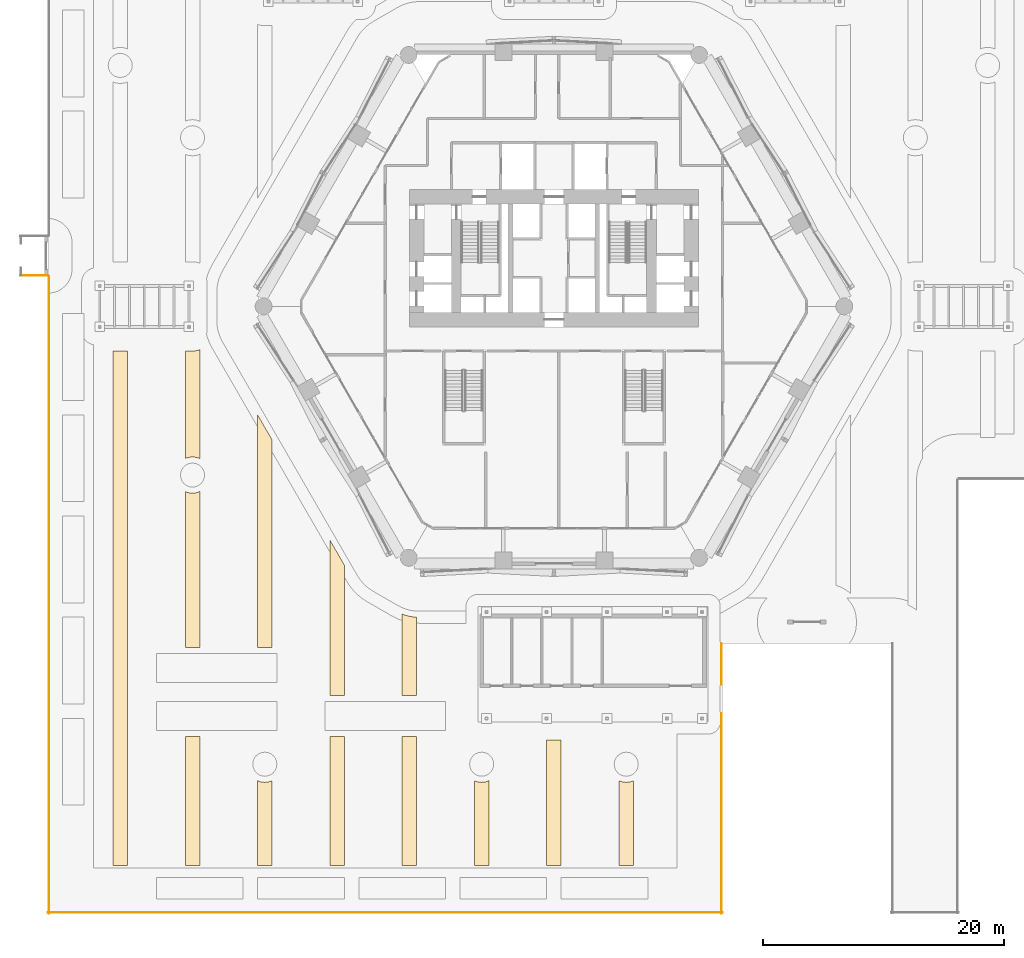
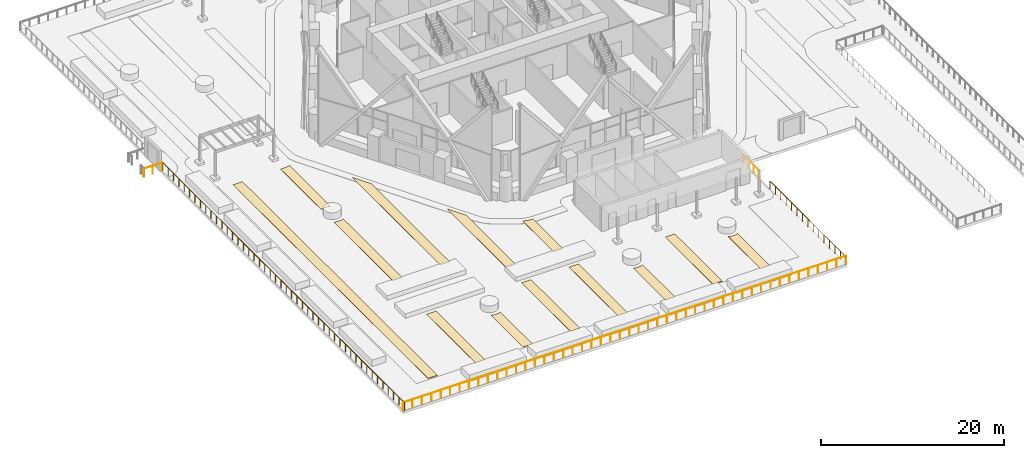
# One storey, part 62 of 71: 13 coverings, 5 railings.
"""IFC4 building model written with IfcOpenShell, lengths in metres."""

from ifc_helpers import new_model, si_unit, direction, frame, origin, origin_2d, place, context, subcontext, project, spatial, polyline, circle, outline, extrude, material, layer, layer_set, type_object, element, save


model = new_model("IFC4")

# Units and contexts
model_context = context("Model", 3, precision=1e-05, world=origin(), true_north=direction((0.0, 1.0)))
body_context = subcontext(model_context, "Body", "Model", "MODEL_VIEW")
ifc_project = project(units=[si_unit("LENGTHUNIT", "METRE"), si_unit("AREAUNIT", "SQUARE_METRE"), si_unit("VOLUMEUNIT", "CUBIC_METRE"), si_unit("PLANEANGLEUNIT", "RADIAN"), si_unit("MASSUNIT", "GRAM", prefix="KILO")], contexts=[model_context])

# Site, building, storey
site_placement = place(None, origin())
site = spatial("IfcSite", under=ifc_project, at=site_placement, CompositionType="ELEMENT")
building_placement = place(site_placement, origin())
building = spatial("IfcBuilding", under=site, at=building_placement, Name="Ostrander Bayou Hotel Tower", CompositionType="ELEMENT")
storey_placement = place(building_placement, frame((0.0, 0.0, 10.0)))
storey = spatial("IfcBuildingStorey", under=building, at=storey_placement, Name="L02", CompositionType="ELEMENT", Elevation=10.0)

# Coverings
ifc_material_1 = material(Name="Granite paving on bedding", Category="masonry")
ifc_layer = layer(ifc_material_1, 0.030029296875)
ifc_layer_set = layer_set([ifc_layer], Name="CV6 paving band 30 mm")
covering_type = type_object("IfcCoveringType", Name="CV6 paving band 30 mm", PredefinedType="FLOORING", material=ifc_layer_set)
covering_1_placement = place(storey_placement, origin())
element("IfcCovering", 1, at=covering_1_placement, inside=storey, type_object=covering_type, Name="PAVING STRIPE 1", PredefinedType="FLOORING", context=body_context, shape_type="SweptSolid", body=[
    extrude(outline(polyline([(-36.60009765625, -3.699951171875), (-35.39990234375, -3.699951171875), (-35.39990234375, -46.39990234375), (-36.60009765625, -46.39990234375), (-36.60009765625, -3.699951171875)])), origin(), (0.0, 0.0, 1.0), 0.030029296875),
])
covering_2_placement = place(storey_placement, origin())
element("IfcCovering", 2, at=covering_2_placement, inside=storey, type_object=covering_type, Name="PAVING STRIPE 4", PredefinedType="FLOORING", context=body_context, shape_type="SweptSolid", body=[
    extrude(outline(polyline([(-30.60009765625, -35.699951171875), (-29.39990234375, -35.699951171875), (-29.39990234375, -46.39990234375), (-30.60009765625, -46.39990234375), (-30.60009765625, -35.699951171875)])), origin(), (0.0, 0.0, 1.0), 0.030029296875),
])
covering_3_placement = place(storey_placement, origin())
element("IfcCovering", 3, at=covering_3_placement, inside=storey, type_object=covering_type, Name="PAVING STRIPE 5", PredefinedType="FLOORING", context=body_context, shape_type="SweptSolid", body=[
    extrude(outline(polyline([(-30.60009765625, -15.36572265625), (-30.4501953125, -15.427978515625), (-30.4091796875, -15.44287109375), (-30.366943359375, -15.4541015625), (-30.32421875, -15.461669921875), (-30.065185546875, -15.49560546875), (-30.021728515625, -15.49951171875), (-29.978271484375, -15.49951171875), (-29.934814453125, -15.49560546875), (-29.67578125, -15.461669921875), (-29.633056640625, -15.4541015625), (-29.5908203125, -15.44287109375), (-29.5498046875, -15.427978515625), (-29.39990234375, -15.36572265625), (-29.39990234375, -28.300048828125), (-30.60009765625, -28.300048828125), (-30.60009765625, -15.36572265625)])), origin(), (0.0, 0.0, 1.0), 0.030029296875),
])
covering_4_placement = place(storey_placement, origin())
element("IfcCovering", 4, at=covering_4_placement, inside=storey, type_object=covering_type, Name="PAVING STRIPE 6", PredefinedType="FLOORING", context=body_context, shape_type="SweptSolid", body=[
    extrude(outline(polyline([(-30.60009765625, -3.699951171875), (-30.0, -3.699951171875), (-29.9755859375, -3.699462890625), (-29.85791015625, -3.693603515625), (-29.80908203125, -3.688720703125), (-29.6923828125, -3.67138671875), (-29.644287109375, -3.662109375), (-29.5302734375, -3.63330078125), (-29.483154296875, -3.619140625), (-29.39990234375, -3.58935546875), (-29.39990234375, -12.63427734375), (-29.5498046875, -12.572021484375), (-29.5908203125, -12.55712890625), (-29.633056640625, -12.5458984375), (-29.67578125, -12.538330078125), (-29.934814453125, -12.50439453125), (-29.978271484375, -12.50048828125), (-30.021728515625, -12.50048828125), (-30.065185546875, -12.50439453125), (-30.32421875, -12.538330078125), (-30.366943359375, -12.5458984375), (-30.4091796875, -12.55712890625), (-30.4501953125, -12.572021484375), (-30.60009765625, -12.63427734375), (-30.60009765625, -3.699951171875)])), origin(), (0.0, 0.0, 1.0), 0.030029296875),
])
covering_5_placement = place(storey_placement, origin())
element("IfcCovering", 5, at=covering_5_placement, inside=storey, type_object=covering_type, Name="PAVING STRIPE 9", PredefinedType="FLOORING", context=body_context, shape_type="SweptSolid", body=[
    extrude(outline(polyline([(-24.60009765625, -46.39990234375), (-24.60009765625, -39.36572265625), (-24.4501953125, -39.427978515625), (-24.4091796875, -39.44287109375), (-24.366943359375, -39.4541015625), (-24.32421875, -39.461669921875), (-24.065185546875, -39.49560546875), (-24.021728515625, -39.49951171875), (-23.978271484375, -39.49951171875), (-23.934814453125, -39.49560546875), (-23.67578125, -39.461669921875), (-23.633056640625, -39.4541015625), (-23.5908203125, -39.44287109375), (-23.5498046875, -39.427978515625), (-23.39990234375, -39.36572265625), (-23.39990234375, -46.39990234375), (-24.60009765625, -46.39990234375)])), origin(), (0.0, 0.0, 1.0), 0.030029296875),
])
covering_6_placement = place(storey_placement, origin())
element("IfcCovering", 6, at=covering_6_placement, inside=storey, type_object=covering_type, Name="PAVING STRIPE 10", PredefinedType="FLOORING", context=body_context, shape_type="SweptSolid", body=[
    extrude(outline(polyline([(-24.60009765625, -8.99169921875), (-23.39990234375, -11.070068359375), (-23.39990234375, -28.300048828125), (-24.60009765625, -28.300048828125), (-24.60009765625, -8.99169921875)])), origin(), (0.0, 0.0, 1.0), 0.030029296875),
])
covering_7_placement = place(storey_placement, origin())
element("IfcCovering", 7, at=covering_7_placement, inside=storey, type_object=covering_type, Name="PAVING STRIPE 12", PredefinedType="FLOORING", context=body_context, shape_type="SweptSolid", body=[
    extrude(outline(polyline([(-18.60009765625, -46.39990234375), (-18.60009765625, -35.699951171875), (-17.39990234375, -35.699951171875), (-17.39990234375, -46.39990234375), (-18.60009765625, -46.39990234375)])), origin(), (0.0, 0.0, 1.0), 0.030029296875),
])
covering_8_placement = place(storey_placement, origin())
element("IfcCovering", 8, at=covering_8_placement, inside=storey, type_object=covering_type, Name="PAVING STRIPE 13", PredefinedType="FLOORING", context=body_context, shape_type="SweptSolid", body=[
    extrude(outline(polyline([(-18.60009765625, -19.3837890625), (-17.39990234375, -21.46240234375), (-17.39990234375, -32.300048828125), (-18.60009765625, -32.300048828125), (-18.60009765625, -19.3837890625)])), origin(), (0.0, 0.0, 1.0), 0.030029296875),
])
covering_9_placement = place(storey_placement, origin())
element("IfcCovering", 9, at=covering_9_placement, inside=storey, type_object=covering_type, Name="PAVING STRIPE 14", PredefinedType="FLOORING", context=body_context, shape_type="SweptSolid", body=[
    extrude(outline(polyline([(-12.60009765625, -46.39990234375), (-12.60009765625, -35.699951171875), (-11.39990234375, -35.699951171875), (-11.39990234375, -46.39990234375), (-12.60009765625, -46.39990234375)])), origin(), (0.0, 0.0, 1.0), 0.030029296875),
])
covering_10_placement = place(storey_placement, origin())
element("IfcCovering", 10, at=covering_10_placement, inside=storey, type_object=covering_type, Name="PAVING STRIPE 15", PredefinedType="FLOORING", context=body_context, shape_type="SweptSolid", body=[
    extrude(outline(polyline([(-12.60009765625, -25.542236328125), (-12.461181640625, -25.595458984375), (-12.41162109375, -25.61181640625), (-12.0576171875, -25.70654296875), (-12.006591796875, -25.71728515625), (-11.644775390625, -25.774658203125), (-11.592529296875, -25.780029296875), (-11.39990234375, -25.790283203125), (-11.39990234375, -32.300048828125), (-12.60009765625, -32.300048828125), (-12.60009765625, -25.542236328125)])), origin(), (0.0, 0.0, 1.0), 0.030029296875),
])
covering_11_placement = place(storey_placement, origin())
element("IfcCovering", 11, at=covering_11_placement, inside=storey, type_object=covering_type, Name="PAVING STRIPE 16", PredefinedType="FLOORING", context=body_context, shape_type="SweptSolid", body=[
    extrude(outline(polyline([(-6.60009765625, -46.39990234375), (-6.60009765625, -39.36572265625), (-6.4501953125, -39.427978515625), (-6.4091796875, -39.44287109375), (-6.366943359375, -39.4541015625), (-6.32421875, -39.461669921875), (-6.065185546875, -39.49560546875), (-6.021728515625, -39.49951171875), (-5.978271484375, -39.49951171875), (-5.934814453125, -39.49560546875), (-5.67578125, -39.461669921875), (-5.633056640625, -39.4541015625), (-5.5908203125, -39.44287109375), (-5.5498046875, -39.427978515625), (-5.39990234375, -39.36572265625), (-5.39990234375, -46.39990234375), (-6.60009765625, -46.39990234375)])), origin(), (0.0, 0.0, 1.0), 0.030029296875),
])
covering_12_placement = place(storey_placement, origin())
element("IfcCovering", 12, at=covering_12_placement, inside=storey, type_object=covering_type, Name="PAVING STRIPE 17", PredefinedType="FLOORING", context=body_context, shape_type="SweptSolid", body=[
    extrude(outline(polyline([(-0.60009765625, -46.39990234375), (-0.60009765625, -36.0), (0.60009765625, -36.0), (0.60009765625, -46.39990234375), (-0.60009765625, -46.39990234375)])), origin(), (0.0, 0.0, 1.0), 0.030029296875),
])
covering_13_placement = place(storey_placement, origin())
element("IfcCovering", 13, at=covering_13_placement, inside=storey, type_object=covering_type, Name="PAVING STRIPE 18", PredefinedType="FLOORING", context=body_context, shape_type="SweptSolid", body=[
    extrude(outline(polyline([(5.39990234375, -46.39990234375), (5.39990234375, -39.36572265625), (5.5498046875, -39.427978515625), (5.5908203125, -39.44287109375), (5.633056640625, -39.4541015625), (5.67578125, -39.461669921875), (5.934814453125, -39.49560546875), (5.978271484375, -39.49951171875), (6.021728515625, -39.49951171875), (6.065185546875, -39.49560546875), (6.32421875, -39.461669921875), (6.366943359375, -39.4541015625), (6.4091796875, -39.44287109375), (6.4501953125, -39.427978515625), (6.60009765625, -39.36572265625), (6.60009765625, -46.39990234375), (5.39990234375, -46.39990234375)])), origin(), (0.0, 0.0, 1.0), 0.030029296875),
])

# Railings
ifc_material_2 = material(Name="Stainless steel and clear glass", Category="steel")
railing_type = type_object("IfcRailingType", Name="GR1 guard 1100 mm", PredefinedType="GUARDRAIL", material=ifc_material_2)
railing_1_placement = place(storey_placement, frame((-41.89990234375, 2.5, 0.0)))
element("IfcRailing", 14, at=railing_1_placement, inside=storey, type_object=railing_type, Name="GR1 deck guard 2", PredefinedType="GUARDRAIL", context=body_context, shape_type="SweptSolid", body=[
    extrude(circle(Radius=0.02490234375, at=origin_2d()), frame((0.0, 0.0, 1.0751953125), z_axis=(0.0, -1.0, 0.0), x_axis=(1.0, 0.0, 0.0)), (0.0, 0.0, 1.0), 52.89990234375),
    extrude(circle(Radius=0.02001953125, at=origin_2d()), origin(), (0.0, 0.0, 1.0), 1.050048828125),
    extrude(circle(Radius=0.02001953125, at=origin_2d()), frame((0.0, -1.175537109375, 0.0)), (0.0, 0.0, 1.0), 1.050048828125),
    extrude(circle(Radius=0.02001953125, at=origin_2d()), frame((0.0, -2.35107421875, 0.0)), (0.0, 0.0, 1.0), 1.050048828125),
    extrude(circle(Radius=0.02001953125, at=origin_2d()), frame((0.0, -3.526611328125, 0.0)), (0.0, 0.0, 1.0), 1.050048828125),
    extrude(circle(Radius=0.02001953125, at=origin_2d()), frame((0.0, -4.7021484375, 0.0)), (0.0, 0.0, 1.0), 1.050048828125),
    extrude(circle(Radius=0.02001953125, at=origin_2d()), frame((0.0, -5.877685546875, 0.0)), (0.0, 0.0, 1.0), 1.050048828125),
    extrude(circle(Radius=0.02001953125, at=origin_2d()), frame((0.0, -7.05322265625, 0.0)), (0.0, 0.0, 1.0), 1.050048828125),
    extrude(circle(Radius=0.02001953125, at=origin_2d()), frame((0.0, -8.228759765625, 0.0)), (0.0, 0.0, 1.0), 1.050048828125),
    extrude(circle(Radius=0.02001953125, at=origin_2d()), frame((0.0, -9.404541015625, 0.0)), (0.0, 0.0, 1.0), 1.050048828125),
    extrude(circle(Radius=0.02001953125, at=origin_2d()), frame((0.0, -10.580078125, 0.0)), (0.0, 0.0, 1.0), 1.050048828125),
    extrude(circle(Radius=0.02001953125, at=origin_2d()), frame((0.0, -11.755615234375, 0.0)), (0.0, 0.0, 1.0), 1.050048828125),
    extrude(circle(Radius=0.02001953125, at=origin_2d()), frame((0.0, -12.93115234375, 0.0)), (0.0, 0.0, 1.0), 1.050048828125),
    extrude(circle(Radius=0.02001953125, at=origin_2d()), frame((0.0, -14.106689453125, 0.0)), (0.0, 0.0, 1.0), 1.050048828125),
    extrude(circle(Radius=0.02001953125, at=origin_2d()), frame((0.0, -15.2822265625, 0.0)), (0.0, 0.0, 1.0), 1.050048828125),
    extrude(circle(Radius=0.02001953125, at=origin_2d()), frame((0.0, -16.457763671875, 0.0)), (0.0, 0.0, 1.0), 1.050048828125),
    extrude(circle(Radius=0.02001953125, at=origin_2d()), frame((0.0, -17.63330078125, 0.0)), (0.0, 0.0, 1.0), 1.050048828125),
    extrude(circle(Radius=0.02001953125, at=origin_2d()), frame((0.0, -18.808837890625, 0.0)), (0.0, 0.0, 1.0), 1.050048828125),
    extrude(circle(Radius=0.02001953125, at=origin_2d()), frame((0.0, -19.984375, 0.0)), (0.0, 0.0, 1.0), 1.050048828125),
    extrude(circle(Radius=0.02001953125, at=origin_2d()), frame((0.0, -21.159912109375, 0.0)), (0.0, 0.0, 1.0), 1.050048828125),
    extrude(circle(Radius=0.02001953125, at=origin_2d()), frame((0.0, -22.33544921875, 0.0)), (0.0, 0.0, 1.0), 1.050048828125),
    extrude(circle(Radius=0.02001953125, at=origin_2d()), frame((0.0, -23.510986328125, 0.0)), (0.0, 0.0, 1.0), 1.050048828125),
    extrude(circle(Radius=0.02001953125, at=origin_2d()), frame((0.0, -24.6865234375, 0.0)), (0.0, 0.0, 1.0), 1.050048828125),
    extrude(circle(Radius=0.02001953125, at=origin_2d()), frame((0.0, -25.862060546875, 0.0)), (0.0, 0.0, 1.0), 1.050048828125),
    extrude(circle(Radius=0.02001953125, at=origin_2d()), frame((0.0, -27.037841796875, 0.0)), (0.0, 0.0, 1.0), 1.050048828125),
    extrude(circle(Radius=0.02001953125, at=origin_2d()), frame((0.0, -28.21337890625, 0.0)), (0.0, 0.0, 1.0), 1.050048828125),
    extrude(circle(Radius=0.02001953125, at=origin_2d()), frame((0.0, -29.388916015625, 0.0)), (0.0, 0.0, 1.0), 1.050048828125),
    extrude(circle(Radius=0.02001953125, at=origin_2d()), frame((0.0, -30.564453125, 0.0)), (0.0, 0.0, 1.0), 1.050048828125),
    extrude(circle(Radius=0.02001953125, at=origin_2d()), frame((0.0, -31.739990234375, 0.0)), (0.0, 0.0, 1.0), 1.050048828125),
    extrude(circle(Radius=0.02001953125, at=origin_2d()), frame((0.0, -32.91552734375, 0.0)), (0.0, 0.0, 1.0), 1.050048828125),
    extrude(circle(Radius=0.02001953125, at=origin_2d()), frame((0.0, -34.091064453125, 0.0)), (0.0, 0.0, 1.0), 1.050048828125),
    extrude(circle(Radius=0.02001953125, at=origin_2d()), frame((0.0, -35.2666015625, 0.0)), (0.0, 0.0, 1.0), 1.050048828125),
    extrude(circle(Radius=0.02001953125, at=origin_2d()), frame((0.0, -36.442138671875, 0.0)), (0.0, 0.0, 1.0), 1.050048828125),
    extrude(circle(Radius=0.02001953125, at=origin_2d()), frame((0.0, -37.61767578125, 0.0)), (0.0, 0.0, 1.0), 1.050048828125),
    extrude(circle(Radius=0.02001953125, at=origin_2d()), frame((0.0, -38.793212890625, 0.0)), (0.0, 0.0, 1.0), 1.050048828125),
    extrude(circle(Radius=0.02001953125, at=origin_2d()), frame((0.0, -39.96875, 0.0)), (0.0, 0.0, 1.0), 1.050048828125),
    extrude(circle(Radius=0.02001953125, at=origin_2d()), frame((0.0, -41.144287109375, 0.0)), (0.0, 0.0, 1.0), 1.050048828125),
    extrude(circle(Radius=0.02001953125, at=origin_2d()), frame((0.0, -42.31982421875, 0.0)), (0.0, 0.0, 1.0), 1.050048828125),
    extrude(circle(Radius=0.02001953125, at=origin_2d()), frame((0.0, -43.495361328125, 0.0)), (0.0, 0.0, 1.0), 1.050048828125),
    extrude(circle(Radius=0.02001953125, at=origin_2d()), frame((0.0, -44.671142578125, 0.0)), (0.0, 0.0, 1.0), 1.050048828125),
    extrude(circle(Radius=0.02001953125, at=origin_2d()), frame((0.0, -45.8466796875, 0.0)), (0.0, 0.0, 1.0), 1.050048828125),
    extrude(circle(Radius=0.02001953125, at=origin_2d()), frame((0.0, -47.022216796875, 0.0)), (0.0, 0.0, 1.0), 1.050048828125),
    extrude(circle(Radius=0.02001953125, at=origin_2d()), frame((0.0, -48.19775390625, 0.0)), (0.0, 0.0, 1.0), 1.050048828125),
    extrude(circle(Radius=0.02001953125, at=origin_2d()), frame((0.0, -49.373291015625, 0.0)), (0.0, 0.0, 1.0), 1.050048828125),
    extrude(circle(Radius=0.02001953125, at=origin_2d()), frame((0.0, -50.548828125, 0.0)), (0.0, 0.0, 1.0), 1.050048828125),
    extrude(circle(Radius=0.02001953125, at=origin_2d()), frame((0.0, -51.724365234375, 0.0)), (0.0, 0.0, 1.0), 1.050048828125),
    extrude(circle(Radius=0.02001953125, at=origin_2d()), frame((0.0, -52.89990234375, 0.0)), (0.0, 0.0, 1.0), 1.050048828125),
])
railing_2_placement = place(storey_placement, frame((-42.0, -50.300048828125, 0.0)))
element("IfcRailing", 15, at=railing_2_placement, inside=storey, type_object=railing_type, Name="GR1 deck guard 3", PredefinedType="GUARDRAIL", context=body_context, shape_type="SweptSolid", body=[
    extrude(circle(Radius=0.02490234375, at=origin_2d()), frame((0.0, 0.0, 1.0751953125), z_axis=(1.0, 0.0, 0.0), x_axis=(0.0, 1.0, 0.0)), (0.0, 0.0, 1.0), 56.0),
    extrude(circle(Radius=0.02001953125, at=origin_2d()), origin(), (0.0, 0.0, 1.0), 1.050048828125),
    extrude(circle(Radius=0.02001953125, at=origin_2d()), frame((1.19140625, 0.0, 0.0)), (0.0, 0.0, 1.0), 1.050048828125),
    extrude(circle(Radius=0.02001953125, at=origin_2d()), frame((2.383056640625, 0.0, 0.0)), (0.0, 0.0, 1.0), 1.050048828125),
    extrude(circle(Radius=0.02001953125, at=origin_2d()), frame((3.574462890625, 0.0, 0.0)), (0.0, 0.0, 1.0), 1.050048828125),
    extrude(circle(Radius=0.02001953125, at=origin_2d()), frame((4.765869140625, 0.0, 0.0)), (0.0, 0.0, 1.0), 1.050048828125),
    extrude(circle(Radius=0.02001953125, at=origin_2d()), frame((5.95751953125, 0.0, 0.0)), (0.0, 0.0, 1.0), 1.050048828125),
    extrude(circle(Radius=0.02001953125, at=origin_2d()), frame((7.14892578125, 0.0, 0.0)), (0.0, 0.0, 1.0), 1.050048828125),
    extrude(circle(Radius=0.02001953125, at=origin_2d()), frame((8.34033203125, 0.0, 0.0)), (0.0, 0.0, 1.0), 1.050048828125),
    extrude(circle(Radius=0.02001953125, at=origin_2d()), frame((9.531982421875, 0.0, 0.0)), (0.0, 0.0, 1.0), 1.050048828125),
    extrude(circle(Radius=0.02001953125, at=origin_2d()), frame((10.723388671875, 0.0, 0.0)), (0.0, 0.0, 1.0), 1.050048828125),
    extrude(circle(Radius=0.02001953125, at=origin_2d()), frame((11.914794921875, 0.0, 0.0)), (0.0, 0.0, 1.0), 1.050048828125),
    extrude(circle(Radius=0.02001953125, at=origin_2d()), frame((13.1064453125, 0.0, 0.0)), (0.0, 0.0, 1.0), 1.050048828125),
    extrude(circle(Radius=0.02001953125, at=origin_2d()), frame((14.2978515625, 0.0, 0.0)), (0.0, 0.0, 1.0), 1.050048828125),
    extrude(circle(Radius=0.02001953125, at=origin_2d()), frame((15.4892578125, 0.0, 0.0)), (0.0, 0.0, 1.0), 1.050048828125),
    extrude(circle(Radius=0.02001953125, at=origin_2d()), frame((16.680908203125, 0.0, 0.0)), (0.0, 0.0, 1.0), 1.050048828125),
    extrude(circle(Radius=0.02001953125, at=origin_2d()), frame((17.872314453125, 0.0, 0.0)), (0.0, 0.0, 1.0), 1.050048828125),
    extrude(circle(Radius=0.02001953125, at=origin_2d()), frame((19.063720703125, 0.0, 0.0)), (0.0, 0.0, 1.0), 1.050048828125),
    extrude(circle(Radius=0.02001953125, at=origin_2d()), frame((20.25537109375, 0.0, 0.0)), (0.0, 0.0, 1.0), 1.050048828125),
    extrude(circle(Radius=0.02001953125, at=origin_2d()), frame((21.44677734375, 0.0, 0.0)), (0.0, 0.0, 1.0), 1.050048828125),
    extrude(circle(Radius=0.02001953125, at=origin_2d()), frame((22.63818359375, 0.0, 0.0)), (0.0, 0.0, 1.0), 1.050048828125),
    extrude(circle(Radius=0.02001953125, at=origin_2d()), frame((23.829833984375, 0.0, 0.0)), (0.0, 0.0, 1.0), 1.050048828125),
    extrude(circle(Radius=0.02001953125, at=origin_2d()), frame((25.021240234375, 0.0, 0.0)), (0.0, 0.0, 1.0), 1.050048828125),
    extrude(circle(Radius=0.02001953125, at=origin_2d()), frame((26.212646484375, 0.0, 0.0)), (0.0, 0.0, 1.0), 1.050048828125),
    extrude(circle(Radius=0.02001953125, at=origin_2d()), frame((27.404296875, 0.0, 0.0)), (0.0, 0.0, 1.0), 1.050048828125),
    extrude(circle(Radius=0.02001953125, at=origin_2d()), frame((28.595703125, 0.0, 0.0)), (0.0, 0.0, 1.0), 1.050048828125),
    extrude(circle(Radius=0.02001953125, at=origin_2d()), frame((29.787353515625, 0.0, 0.0)), (0.0, 0.0, 1.0), 1.050048828125),
    extrude(circle(Radius=0.02001953125, at=origin_2d()), frame((30.978759765625, 0.0, 0.0)), (0.0, 0.0, 1.0), 1.050048828125),
    extrude(circle(Radius=0.02001953125, at=origin_2d()), frame((32.170166015625, 0.0, 0.0)), (0.0, 0.0, 1.0), 1.050048828125),
    extrude(circle(Radius=0.02001953125, at=origin_2d()), frame((33.36181640625, 0.0, 0.0)), (0.0, 0.0, 1.0), 1.050048828125),
    extrude(circle(Radius=0.02001953125, at=origin_2d()), frame((34.55322265625, 0.0, 0.0)), (0.0, 0.0, 1.0), 1.050048828125),
    extrude(circle(Radius=0.02001953125, at=origin_2d()), frame((35.74462890625, 0.0, 0.0)), (0.0, 0.0, 1.0), 1.050048828125),
    extrude(circle(Radius=0.02001953125, at=origin_2d()), frame((36.936279296875, 0.0, 0.0)), (0.0, 0.0, 1.0), 1.050048828125),
    extrude(circle(Radius=0.02001953125, at=origin_2d()), frame((38.127685546875, 0.0, 0.0)), (0.0, 0.0, 1.0), 1.050048828125),
    extrude(circle(Radius=0.02001953125, at=origin_2d()), frame((39.319091796875, 0.0, 0.0)), (0.0, 0.0, 1.0), 1.050048828125),
    extrude(circle(Radius=0.02001953125, at=origin_2d()), frame((40.5107421875, 0.0, 0.0)), (0.0, 0.0, 1.0), 1.050048828125),
    extrude(circle(Radius=0.02001953125, at=origin_2d()), frame((41.7021484375, 0.0, 0.0)), (0.0, 0.0, 1.0), 1.050048828125),
    extrude(circle(Radius=0.02001953125, at=origin_2d()), frame((42.8935546875, 0.0, 0.0)), (0.0, 0.0, 1.0), 1.050048828125),
    extrude(circle(Radius=0.02001953125, at=origin_2d()), frame((44.085205078125, 0.0, 0.0)), (0.0, 0.0, 1.0), 1.050048828125),
    extrude(circle(Radius=0.02001953125, at=origin_2d()), frame((45.276611328125, 0.0, 0.0)), (0.0, 0.0, 1.0), 1.050048828125),
    extrude(circle(Radius=0.02001953125, at=origin_2d()), frame((46.468017578125, 0.0, 0.0)), (0.0, 0.0, 1.0), 1.050048828125),
    extrude(circle(Radius=0.02001953125, at=origin_2d()), frame((47.65966796875, 0.0, 0.0)), (0.0, 0.0, 1.0), 1.050048828125),
    extrude(circle(Radius=0.02001953125, at=origin_2d()), frame((48.85107421875, 0.0, 0.0)), (0.0, 0.0, 1.0), 1.050048828125),
    extrude(circle(Radius=0.02001953125, at=origin_2d()), frame((50.04248046875, 0.0, 0.0)), (0.0, 0.0, 1.0), 1.050048828125),
    extrude(circle(Radius=0.02001953125, at=origin_2d()), frame((51.234130859375, 0.0, 0.0)), (0.0, 0.0, 1.0), 1.050048828125),
    extrude(circle(Radius=0.02001953125, at=origin_2d()), frame((52.425537109375, 0.0, 0.0)), (0.0, 0.0, 1.0), 1.050048828125),
    extrude(circle(Radius=0.02001953125, at=origin_2d()), frame((53.616943359375, 0.0, 0.0)), (0.0, 0.0, 1.0), 1.050048828125),
    extrude(circle(Radius=0.02001953125, at=origin_2d()), frame((54.80859375, 0.0, 0.0)), (0.0, 0.0, 1.0), 1.050048828125),
    extrude(circle(Radius=0.02001953125, at=origin_2d()), frame((56.0, 0.0, 0.0)), (0.0, 0.0, 1.0), 1.050048828125),
])
railing_3_placement = place(storey_placement, frame((13.89990234375, -50.39990234375, 0.0)))
element("IfcRailing", 16, at=railing_3_placement, inside=storey, type_object=railing_type, Name="GR1 deck guard 4", PredefinedType="GUARDRAIL", context=body_context, shape_type="SweptSolid", body=[
    extrude(circle(Radius=0.02490234375, at=origin_2d()), frame((0.0, 0.0, 1.0751953125), z_axis=(0.0, 1.0, 0.0), x_axis=(-1.0, 0.0, 0.0)), (0.0, 0.0, 1.0), 16.599853515625),
    extrude(circle(Radius=0.02001953125, at=origin_2d()), origin(), (0.0, 0.0, 1.0), 1.050048828125),
    extrude(circle(Radius=0.02001953125, at=origin_2d()), frame((0.0, 1.185791015625, 0.0)), (0.0, 0.0, 1.0), 1.050048828125),
    extrude(circle(Radius=0.02001953125, at=origin_2d()), frame((0.0, 2.371337890625, 0.0)), (0.0, 0.0, 1.0), 1.050048828125),
    extrude(circle(Radius=0.02001953125, at=origin_2d()), frame((0.0, 3.55712890625, 0.0)), (0.0, 0.0, 1.0), 1.050048828125),
    extrude(circle(Radius=0.02001953125, at=origin_2d()), frame((0.0, 4.742919921875, 0.0)), (0.0, 0.0, 1.0), 1.050048828125),
    extrude(circle(Radius=0.02001953125, at=origin_2d()), frame((0.0, 5.928466796875, 0.0)), (0.0, 0.0, 1.0), 1.050048828125),
    extrude(circle(Radius=0.02001953125, at=origin_2d()), frame((0.0, 7.1142578125, 0.0)), (0.0, 0.0, 1.0), 1.050048828125),
    extrude(circle(Radius=0.02001953125, at=origin_2d()), frame((0.0, 8.2998046875, 0.0)), (0.0, 0.0, 1.0), 1.050048828125),
    extrude(circle(Radius=0.02001953125, at=origin_2d()), frame((0.0, 9.485595703125, 0.0)), (0.0, 0.0, 1.0), 1.050048828125),
    extrude(circle(Radius=0.02001953125, at=origin_2d()), frame((0.0, 10.67138671875, 0.0)), (0.0, 0.0, 1.0), 1.050048828125),
    extrude(circle(Radius=0.02001953125, at=origin_2d()), frame((0.0, 11.85693359375, 0.0)), (0.0, 0.0, 1.0), 1.050048828125),
    extrude(circle(Radius=0.02001953125, at=origin_2d()), frame((0.0, 13.042724609375, 0.0)), (0.0, 0.0, 1.0), 1.050048828125),
    extrude(circle(Radius=0.02001953125, at=origin_2d()), frame((0.0, 14.228515625, 0.0)), (0.0, 0.0, 1.0), 1.050048828125),
    extrude(circle(Radius=0.02001953125, at=origin_2d()), frame((0.0, 15.4140625, 0.0)), (0.0, 0.0, 1.0), 1.050048828125),
    extrude(circle(Radius=0.02001953125, at=origin_2d()), frame((0.0, 16.599853515625, 0.0)), (0.0, 0.0, 1.0), 1.050048828125),
])
railing_4_placement = place(storey_placement, frame((13.89990234375, -31.39990234375, 0.0)))
element("IfcRailing", 17, at=railing_4_placement, inside=storey, type_object=railing_type, Name="GR1 deck guard 5", PredefinedType="GUARDRAIL", context=body_context, shape_type="SweptSolid", body=[
    extrude(circle(Radius=0.02490234375, at=origin_2d()), frame((0.0, 0.0, 1.0751953125), z_axis=(0.0, 1.0, 0.0), x_axis=(-1.0, 0.0, 0.0)), (0.0, 0.0, 1.0), 3.39990234375),
    extrude(circle(Radius=0.02001953125, at=origin_2d()), origin(), (0.0, 0.0, 1.0), 1.050048828125),
    extrude(circle(Radius=0.02001953125, at=origin_2d()), frame((0.0, 1.13330078125, 0.0)), (0.0, 0.0, 1.0), 1.050048828125),
    extrude(circle(Radius=0.02001953125, at=origin_2d()), frame((0.0, 2.2666015625, 0.0)), (0.0, 0.0, 1.0), 1.050048828125),
    extrude(circle(Radius=0.02001953125, at=origin_2d()), frame((0.0, 3.39990234375, 0.0)), (0.0, 0.0, 1.0), 1.050048828125),
])
railing_5_placement = place(storey_placement, frame((-42.0, 2.550048828125, 0.0)))
element("IfcRailing", 18, at=railing_5_placement, inside=storey, type_object=railing_type, Name="GR1 landing guard WR", PredefinedType="GUARDRAIL", context=body_context, shape_type="SweptSolid", body=[
    extrude(circle(Radius=0.02490234375, at=origin_2d()), frame((0.0, 0.0, 1.0751953125), z_axis=(-1.0, 0.0, 0.0), x_axis=(0.0, -1.0, 0.0)), (0.0, 0.0, 1.0), 2.300048828125),
    extrude(circle(Radius=0.02001953125, at=origin_2d()), origin(), (0.0, 0.0, 1.0), 1.050048828125),
    extrude(circle(Radius=0.02001953125, at=origin_2d()), frame((-1.14990234375, 0.0, 0.0)), (0.0, 0.0, 1.0), 1.050048828125),
    extrude(circle(Radius=0.02001953125, at=origin_2d()), frame((-2.300048828125, 0.0, 0.0)), (0.0, 0.0, 1.0), 1.050048828125),
])

save(model, "model.ifc")
